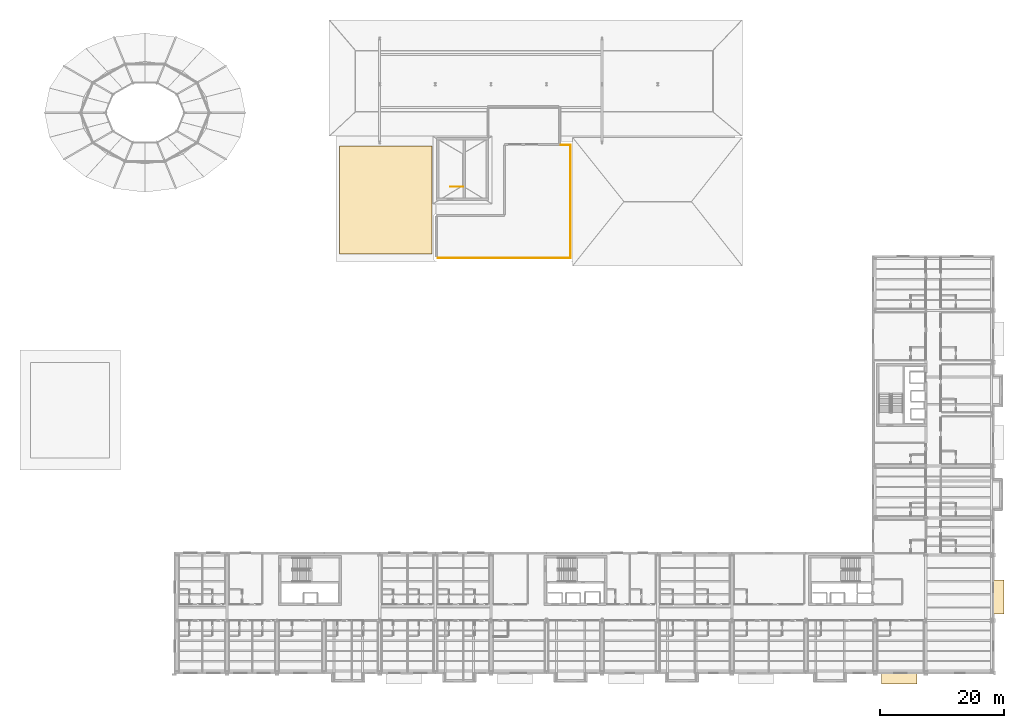
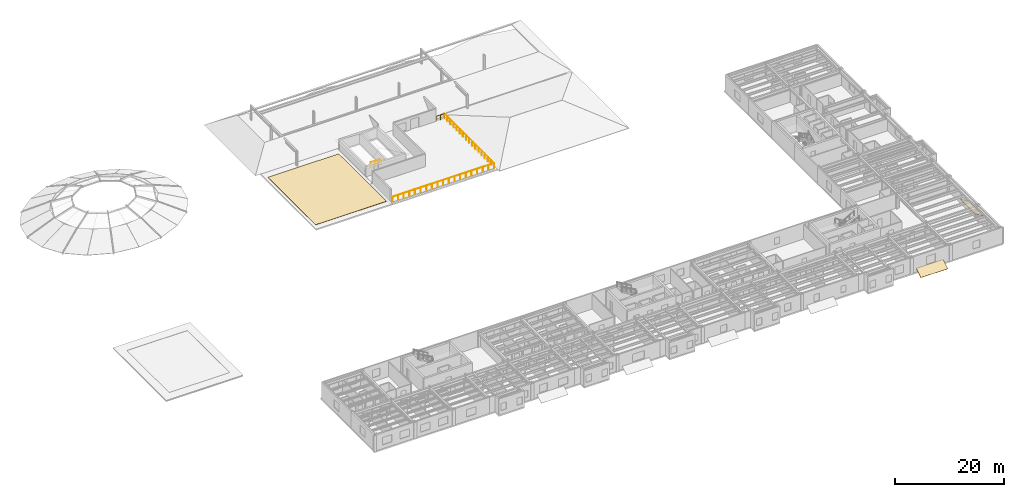
# One storey, part 32 of 34: 4 railings, 3 coverings.
"""IFC4 building model written with IfcOpenShell, lengths in metres."""

from ifc_helpers import new_model, si_unit, direction, frame, origin, origin_2d, place, context, subcontext, project, spatial, polyline, circle, outline, extrude, material, layer, layer_set, type_object, element, save


model = new_model("IFC4")

# Units and contexts
model_context = context("Model", 3, precision=1e-05, world=origin(), true_north=direction((0.0, 1.0)))
body_context = subcontext(model_context, "Body", "Model", "MODEL_VIEW")
ifc_project = project(units=[si_unit("LENGTHUNIT", "METRE"), si_unit("AREAUNIT", "SQUARE_METRE"), si_unit("VOLUMEUNIT", "CUBIC_METRE"), si_unit("PLANEANGLEUNIT", "RADIAN"), si_unit("MASSUNIT", "GRAM", prefix="KILO")], contexts=[model_context])

# Site, building, storey
site_placement = place(None, origin())
site = spatial("IfcSite", under=ifc_project, at=site_placement, CompositionType="ELEMENT")
building_placement = place(site_placement, origin())
building = spatial("IfcBuilding", under=site, at=building_placement, Name="Sollismere Congress Hotel", CompositionType="ELEMENT")
storey_placement = place(building_placement, frame((0.0, 0.0, 23.39990234375)))
storey = spatial("IfcBuildingStorey", under=building, at=storey_placement, Name="L05", CompositionType="ELEMENT", Elevation=23.39990234375)

# Coverings
ifc_material_1 = material(Name="Standing-Seam Titanium-Zinc Roof Assembly")
ifc_layer = layer(ifc_material_1, 0.054931640625, Name="Standing-Seam Titanium-Zinc Roof Assembly")
ifc_layer_set = layer_set([ifc_layer], Name="Standing-Seam Titanium-Zinc Roof Assembly")
covering_type = type_object("IfcCoveringType", Name="CV-RFZNC", PredefinedType="ROOFING", material=ifc_layer_set)
covering_1_placement = place(storey_placement, frame((148.25, -2.008056640625, -0.3779296875), z_axis=(0.0, -0.525123792841, 0.851025852834), x_axis=(1.0, 0.0, 0.0)))
element("IfcCovering", 1, at=covering_1_placement, inside=storey, type_object=covering_type, Name="Cikma bay sacak hood SL-CKH-12", PredefinedType="ROOFING", context=body_context, shape_type="SweptSolid", body=[
    extrude(outline(polyline([(0.0, 0.0), (5.699951171875, 0.0), (5.699951171875, 2.056396484375), (0.0, 2.056396484375), (0.0, 0.0)])), origin(), (0.0, 0.0, 1.0), 0.080078125),
])
covering_2_placement = place(storey_placement, frame((166.258056640625, 9.25, 0.701904296875), z_axis=(0.525123792841, 0.0, 0.851025852834), x_axis=(0.851025852834, 0.0, -0.525123792841)))
element("IfcCovering", 2, at=covering_2_placement, inside=storey, type_object=covering_type, Name="Cikma bay sacak hood SL-CKH-13", PredefinedType="ROOFING", context=body_context, shape_type="SweptSolid", body=[
    extrude(outline(polyline([(0.0, 0.0), (2.056396484375, 0.0), (2.056396484375, 5.5), (0.0, 5.5), (0.0, 0.0)])), origin(), (0.0, 0.0, 1.0), 0.080078125),
])
covering_3_placement = place(storey_placement, origin())
element("IfcCovering", 3, at=covering_3_placement, inside=storey, type_object=covering_type, Name="COV-CV-RF-V2W", PredefinedType="ROOFING", context=body_context, shape_type="SweptSolid", body=[
    extrude(outline(polyline([(60.5, 67.5), (75.5, 67.5), (75.5, 85.0), (60.5, 85.0), (60.5, 67.5)])), origin(), (0.0, 0.0, 1.0), 0.05517578125),
])

# Railings
ifc_material_2 = material(Name="Laminated Safety Glass & Bronze Cap Rail", Category="glass")
railing_type_1 = type_object("IfcRailingType", Name="RL-GD112", PredefinedType="GUARDRAIL", material=ifc_material_2)
railing_1_placement = place(storey_placement, frame((97.89990234375, 85.14990234375, 0.0)))
element("IfcRailing", 4, at=railing_1_placement, inside=storey, type_object=railing_type_1, Name="RLG-GD-L05-005", PredefinedType="GUARDRAIL", context=body_context, shape_type="SweptSolid", body=[
    extrude(circle(Radius=0.02392578125, at=origin_2d()), frame((0.0, 0.0, 1.09619140625), z_axis=(0.0, -1.0, 0.0), x_axis=(1.0, 0.0, 0.0)), (0.0, 0.0, 1.0), 18.25),
    extrude(circle(Radius=0.02099609375, at=origin_2d()), origin(), (0.0, 0.0, 1.0), 1.072021484375),
    extrude(circle(Radius=0.02099609375, at=origin_2d()), frame((0.0, -1.140625, 0.0)), (0.0, 0.0, 1.0), 1.072021484375),
    extrude(circle(Radius=0.02099609375, at=origin_2d()), frame((0.0, -2.28125, 0.0)), (0.0, 0.0, 1.0), 1.072021484375),
    extrude(circle(Radius=0.02099609375, at=origin_2d()), frame((0.0, -3.421875, 0.0)), (0.0, 0.0, 1.0), 1.072021484375),
    extrude(circle(Radius=0.02099609375, at=origin_2d()), frame((0.0, -4.5625, 0.0)), (0.0, 0.0, 1.0), 1.072021484375),
    extrude(circle(Radius=0.02099609375, at=origin_2d()), frame((0.0, -5.703125, 0.0)), (0.0, 0.0, 1.0), 1.072021484375),
    extrude(circle(Radius=0.02099609375, at=origin_2d()), frame((0.0, -6.84375, 0.0)), (0.0, 0.0, 1.0), 1.072021484375),
    extrude(circle(Radius=0.02099609375, at=origin_2d()), frame((0.0, -7.984375, 0.0)), (0.0, 0.0, 1.0), 1.072021484375),
    extrude(circle(Radius=0.02099609375, at=origin_2d()), frame((0.0, -9.125, 0.0)), (0.0, 0.0, 1.0), 1.072021484375),
    extrude(circle(Radius=0.02099609375, at=origin_2d()), frame((0.0, -10.265625, 0.0)), (0.0, 0.0, 1.0), 1.072021484375),
    extrude(circle(Radius=0.02099609375, at=origin_2d()), frame((0.0, -11.40625, 0.0)), (0.0, 0.0, 1.0), 1.072021484375),
    extrude(circle(Radius=0.02099609375, at=origin_2d()), frame((0.0, -12.546875, 0.0)), (0.0, 0.0, 1.0), 1.072021484375),
    extrude(circle(Radius=0.02099609375, at=origin_2d()), frame((0.0, -13.6875, 0.0)), (0.0, 0.0, 1.0), 1.072021484375),
    extrude(circle(Radius=0.02099609375, at=origin_2d()), frame((0.0, -14.828125, 0.0)), (0.0, 0.0, 1.0), 1.072021484375),
    extrude(circle(Radius=0.02099609375, at=origin_2d()), frame((0.0, -15.96875, 0.0)), (0.0, 0.0, 1.0), 1.072021484375),
    extrude(circle(Radius=0.02099609375, at=origin_2d()), frame((0.0, -17.109375, 0.0)), (0.0, 0.0, 1.0), 1.072021484375),
    extrude(circle(Radius=0.02099609375, at=origin_2d()), frame((0.0, -18.25, 0.0)), (0.0, 0.0, 1.0), 1.072021484375),
])
railing_2_placement = place(storey_placement, frame((97.89990234375, 66.89990234375, 0.0)))
element("IfcRailing", 5, at=railing_2_placement, inside=storey, type_object=railing_type_1, Name="RLG-GD-L05-006", PredefinedType="GUARDRAIL", context=body_context, shape_type="SweptSolid", body=[
    extrude(circle(Radius=0.02392578125, at=origin_2d()), frame((0.0, 0.0, 1.09619140625), z_axis=(-1.0, 0.0, 0.0), x_axis=(0.0, -1.0, 0.0)), (0.0, 0.0, 1.0), 21.5),
    extrude(circle(Radius=0.02099609375, at=origin_2d()), origin(), (0.0, 0.0, 1.0), 1.072021484375),
    extrude(circle(Radius=0.02099609375, at=origin_2d()), frame((-1.1943359375, 0.0, 0.0)), (0.0, 0.0, 1.0), 1.072021484375),
    extrude(circle(Radius=0.02099609375, at=origin_2d()), frame((-2.388916015625, 0.0, 0.0)), (0.0, 0.0, 1.0), 1.072021484375),
    extrude(circle(Radius=0.02099609375, at=origin_2d()), frame((-3.583251953125, 0.0, 0.0)), (0.0, 0.0, 1.0), 1.072021484375),
    extrude(circle(Radius=0.02099609375, at=origin_2d()), frame((-4.77783203125, 0.0, 0.0)), (0.0, 0.0, 1.0), 1.072021484375),
    extrude(circle(Radius=0.02099609375, at=origin_2d()), frame((-5.97216796875, 0.0, 0.0)), (0.0, 0.0, 1.0), 1.072021484375),
    extrude(circle(Radius=0.02099609375, at=origin_2d()), frame((-7.166748046875, 0.0, 0.0)), (0.0, 0.0, 1.0), 1.072021484375),
    extrude(circle(Radius=0.02099609375, at=origin_2d()), frame((-8.361083984375, 0.0, 0.0)), (0.0, 0.0, 1.0), 1.072021484375),
    extrude(circle(Radius=0.02099609375, at=origin_2d()), frame((-9.5556640625, 0.0, 0.0)), (0.0, 0.0, 1.0), 1.072021484375),
    extrude(circle(Radius=0.02099609375, at=origin_2d()), frame((-10.75, 0.0, 0.0)), (0.0, 0.0, 1.0), 1.072021484375),
    extrude(circle(Radius=0.02099609375, at=origin_2d()), frame((-11.9443359375, 0.0, 0.0)), (0.0, 0.0, 1.0), 1.072021484375),
    extrude(circle(Radius=0.02099609375, at=origin_2d()), frame((-13.138916015625, 0.0, 0.0)), (0.0, 0.0, 1.0), 1.072021484375),
    extrude(circle(Radius=0.02099609375, at=origin_2d()), frame((-14.333251953125, 0.0, 0.0)), (0.0, 0.0, 1.0), 1.072021484375),
    extrude(circle(Radius=0.02099609375, at=origin_2d()), frame((-15.52783203125, 0.0, 0.0)), (0.0, 0.0, 1.0), 1.072021484375),
    extrude(circle(Radius=0.02099609375, at=origin_2d()), frame((-16.72216796875, 0.0, 0.0)), (0.0, 0.0, 1.0), 1.072021484375),
    extrude(circle(Radius=0.02099609375, at=origin_2d()), frame((-17.916748046875, 0.0, 0.0)), (0.0, 0.0, 1.0), 1.072021484375),
    extrude(circle(Radius=0.02099609375, at=origin_2d()), frame((-19.111083984375, 0.0, 0.0)), (0.0, 0.0, 1.0), 1.072021484375),
    extrude(circle(Radius=0.02099609375, at=origin_2d()), frame((-20.3056640625, 0.0, 0.0)), (0.0, 0.0, 1.0), 1.072021484375),
    extrude(circle(Radius=0.02099609375, at=origin_2d()), frame((-21.5, 0.0, 0.0)), (0.0, 0.0, 1.0), 1.072021484375),
])
railing_3_placement = place(storey_placement, frame((96.300048828125, 85.14990234375, 0.0)))
element("IfcRailing", 6, at=railing_3_placement, inside=storey, type_object=railing_type_1, Name="RLG-GD-L05-007", PredefinedType="GUARDRAIL", context=body_context, shape_type="SweptSolid", body=[
    extrude(circle(Radius=0.02392578125, at=origin_2d()), frame((0.0, 0.0, 1.09619140625), z_axis=(1.0, 0.0, 0.0), x_axis=(0.0, 1.0, 0.0)), (0.0, 0.0, 1.0), 1.599853515625),
    extrude(circle(Radius=0.02099609375, at=origin_2d()), origin(), (0.0, 0.0, 1.0), 1.072021484375),
    extrude(circle(Radius=0.02099609375, at=origin_2d()), frame((0.7998046875, 0.0, 0.0)), (0.0, 0.0, 1.0), 1.072021484375),
    extrude(circle(Radius=0.02099609375, at=origin_2d()), frame((1.599853515625, 0.0, 0.0)), (0.0, 0.0, 1.0), 1.072021484375),
])
ifc_material_3 = material(Name="Steel ASTM A500 Grade C", Category="steel")
railing_type_2 = type_object("IfcRailingType", Name="RL-GRD112", PredefinedType="GUARDRAIL", material=ifc_material_3)
railing_4_placement = place(storey_placement, frame((80.5, 78.39990234375, 0.0)))
element("IfcRailing", 7, at=railing_4_placement, inside=storey, type_object=railing_type_2, Name="RLG-RG-ST-04-TOP1", PredefinedType="GUARDRAIL", context=body_context, shape_type="SweptSolid", body=[
    extrude(circle(Radius=0.02392578125, at=origin_2d()), frame((0.0, 0.0, 1.09619140625), z_axis=(-1.0, 0.0, 0.0), x_axis=(0.0, -1.0, 0.0)), (0.0, 0.0, 1.0), 2.050048828125),
    extrude(circle(Radius=0.02099609375, at=origin_2d()), origin(), (0.0, 0.0, 1.0), 1.072021484375),
    extrude(circle(Radius=0.02099609375, at=origin_2d()), frame((-1.02490234375, 0.0, 0.0)), (0.0, 0.0, 1.0), 1.072021484375),
    extrude(circle(Radius=0.02099609375, at=origin_2d()), frame((-2.050048828125, 0.0, 0.0)), (0.0, 0.0, 1.0), 1.072021484375),
])

save(model, "model.ifc")
